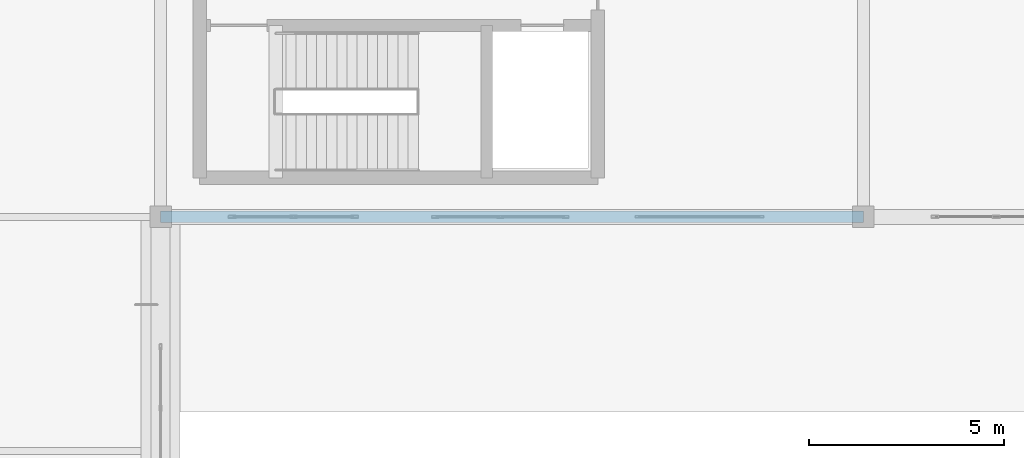
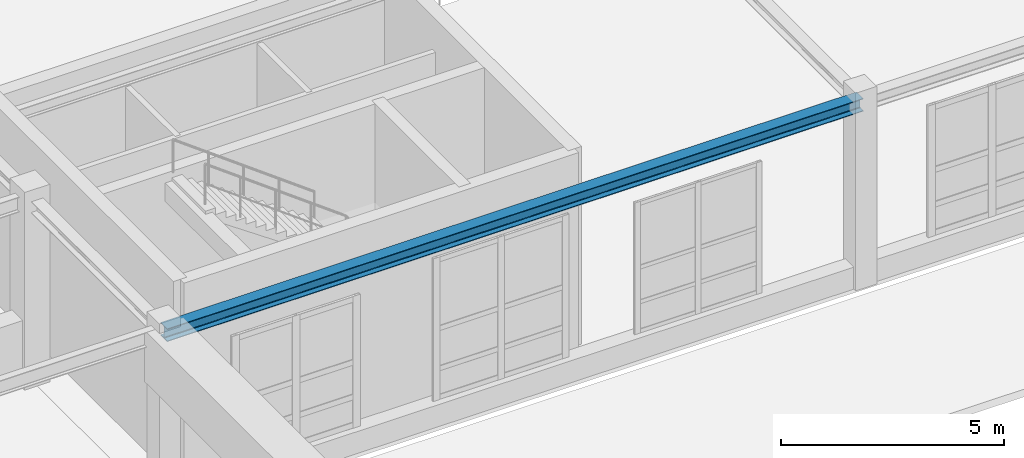
# One storey, part 45 of 197: 1 beam.
"""IFC4 building model written with IfcOpenShell, lengths in metres."""

from ifc_helpers import new_model, si_unit, derived_unit, direction, frame, origin, origin_2d, place, context, subcontext, project, spatial, i_section, extrude, material, material_profile, profile_set, type_object, element, save


model = new_model("IFC4")

# Units and contexts
model_context = context("Model", 3, precision=1e-05, world=origin(), true_north=direction((0.0, 1.0)))
body_context = subcontext(model_context, "Body", "Model", "MODEL_VIEW")
ifc_project = project(units=[si_unit("LENGTHUNIT", "METRE"), si_unit("AREAUNIT", "SQUARE_METRE"), si_unit("VOLUMEUNIT", "CUBIC_METRE"), si_unit("PLANEANGLEUNIT", "RADIAN"), si_unit("MASSUNIT", "GRAM", prefix="KILO"), derived_unit("THERMALTRANSMITTANCEUNIT", [(si_unit("POWERUNIT", "WATT"), 1), (si_unit("LENGTHUNIT", "METRE"), -2), (si_unit("THERMODYNAMICTEMPERATUREUNIT", "KELVIN"), -1)])], contexts=[model_context])

# Site, building, storey
site_placement = place(None, origin())
site = spatial("IfcSite", under=ifc_project, at=site_placement, CompositionType="ELEMENT")
building_placement = place(site_placement, origin())
building = spatial("IfcBuilding", under=site, at=building_placement, Name="Almenara Railside Exhibition Hall", CompositionType="ELEMENT")
storey_placement = place(building_placement, frame((0.0, 0.0, 5.39990234375)))
storey = spatial("IfcBuildingStorey", under=building, at=storey_placement, Name="L01", CompositionType="ELEMENT", Elevation=5.39990234375)

# Beam
ifc_material = material(Name="Structural steel S355JR", Category="steel")
ifc_material_profile = material_profile(ifc_material, i_section(OverallWidth=0.300048828125, OverallDepth=0.35009765625, WebThickness=0.010009765625, FlangeThickness=0.017578125, FilletRadius=0.027099609375, at=origin_2d()), Name="HEA 360")
ifc_profile_set = profile_set([ifc_material_profile], Name="Structural steel S355JR")
beam_type = type_object("IfcBeamType", Name="Steel Concourse Frame Beam HEA 360 S355JR", PredefinedType="BEAM", material=ifc_profile_set)
beam_placement = place(storey_placement, frame((66.0, 36.0, 4.9150390625), z_axis=(1.0, 0.0, 0.0), x_axis=(0.0, 1.0, 0.0)))
element("IfcBeam", 1, at=beam_placement, inside=storey, type_object=beam_type, Name="Beam 0779", PredefinedType="BEAM", context=body_context, shape_type="SweptSolid", body=[
    extrude(i_section(OverallWidth=0.300048828125, OverallDepth=0.35009765625, WebThickness=0.010009765625, FlangeThickness=0.017578125, FilletRadius=0.027099609375, at=origin_2d()), origin(), (0.0, 0.0, 1.0), 18.0),
])

save(model, "model.ifc")
